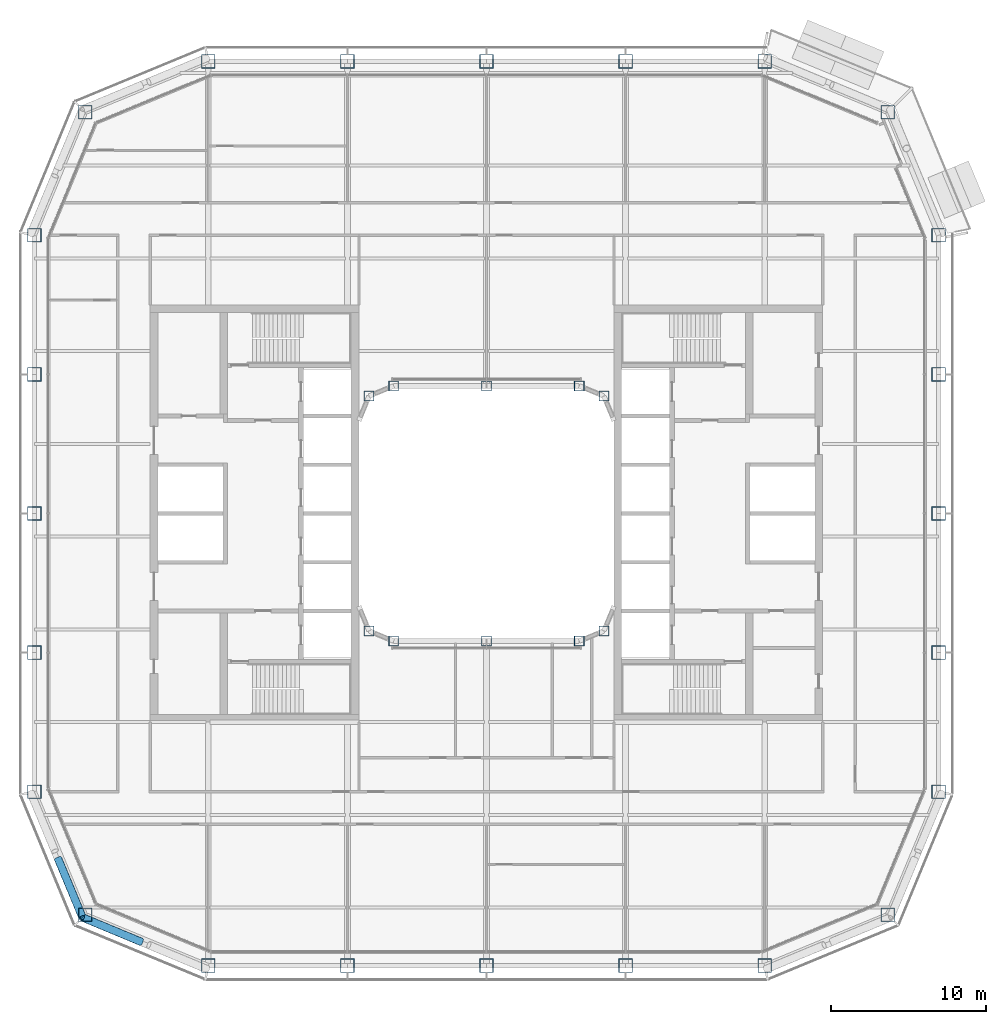
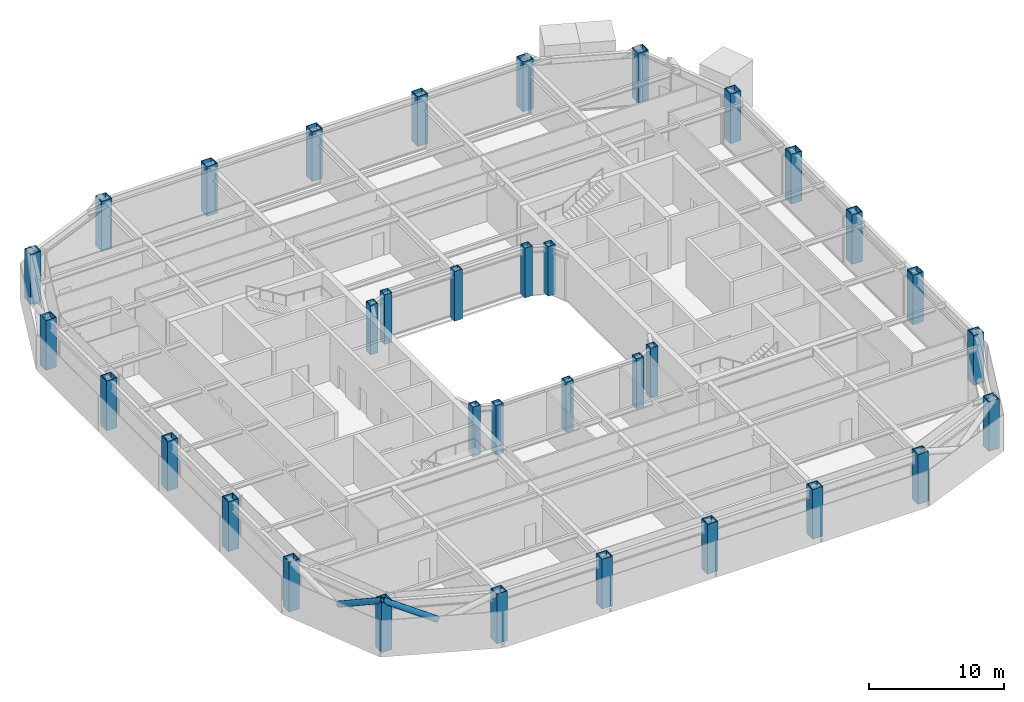
# One storey, part 1 of 23: 34 columns, 2 members.
"""IFC4 building model written with IfcOpenShell, lengths in metres."""

from ifc_helpers import new_model, si_unit, direction, frame, origin, origin_2d, place, context, subcontext, project, spatial, hollow_rectangle, hollow_circle, extrude, material, material_profile, profile_set, type_object, element, save


model = new_model("IFC4")

# Units and contexts
model_context = context("Model", 3, precision=1e-05, world=origin(), true_north=direction((0.0, 1.0)))
body_context = subcontext(model_context, "Body", "Model", "MODEL_VIEW")
ifc_project = project(units=[si_unit("LENGTHUNIT", "METRE"), si_unit("AREAUNIT", "SQUARE_METRE"), si_unit("VOLUMEUNIT", "CUBIC_METRE"), si_unit("PLANEANGLEUNIT", "RADIAN"), si_unit("MASSUNIT", "GRAM", prefix="KILO")], contexts=[model_context])

# Site, building, storey
site_placement = place(None, origin())
site = spatial("IfcSite", under=ifc_project, at=site_placement, CompositionType="ELEMENT")
building_placement = place(site_placement, origin())
building = spatial("IfcBuilding", under=site, at=building_placement, Name="Siwar Civic Tower", CompositionType="ELEMENT")
storey_placement = place(building_placement, frame((0.0, 0.0, 167.699951171875)))
storey = spatial("IfcBuildingStorey", under=building, at=storey_placement, Name="L36", CompositionType="ELEMENT", Elevation=167.699951171875)

# Columns
ifc_material_1 = material(Name="Steel S355", Category="steel")
ifc_material_profile_1 = material_profile(ifc_material_1, hollow_rectangle(XDim=0.89990234375, YDim=0.89990234375, WallThickness=0.050048828125, at=origin_2d()), Name="BOX900x900x50")
ifc_profile_set_1 = profile_set([ifc_material_profile_1], Name="Steel S355")
column_type_1 = type_object("IfcColumnType", Name="STR-COL-BOX900x900x50", PredefinedType="COLUMN", material=ifc_profile_set_1)
for number, where, z_axis, x_axis, name in (
    (1, (-18.0, -29.25, 0.0), (0.0, 0.0, 1.0), (1.0, 0.0, 0.0), "L36/col/S-0"),
    (2, (-9.0, -29.25, 0.0), (0.0, 0.0, 1.0), (1.0, 0.0, 0.0), "L36/col/S-1"),
    (3, (0.0, -29.25, 0.0), (0.0, 0.0, 1.0), (1.0, 0.0, 0.0), "L36/col/S-2"),
    (4, (9.0, -29.25, 0.0), (0.0, 0.0, 1.0), (1.0, 0.0, 0.0), "L36/col/S-3"),
    (5, (18.0, -29.25, 0.0), (0.0, 0.0, 1.0), (1.0, 0.0, 0.0), "L36/col/SE1-0"),
    (6, (25.954833984375, -25.954833984375, 0.0), (0.0, 0.0, 1.0), (1.0, 0.0, 0.0), "L36/col/SE2-0"),
    (7, (29.25, -18.0, 0.0), (0.0, 0.0, 1.0), (1.0, 0.0, 0.0), "L36/col/E-0"),
    (8, (29.25, -9.0, 0.0), (0.0, 0.0, 1.0), (1.0, 0.0, 0.0), "L36/col/E-1"),
    (9, (29.25, 0.0, 0.0), (0.0, 0.0, 1.0), (1.0, 0.0, 0.0), "L36/col/E-2"),
    (10, (29.25, 9.0, 0.0), (0.0, 0.0, 1.0), (1.0, 0.0, 0.0), "L36/col/E-3"),
    (11, (29.25, 18.0, 0.0), (0.0, 0.0, 1.0), (1.0, 0.0, 0.0), "L36/col/NE1-0"),
    (12, (25.954833984375, 25.954833984375, 0.0), (0.0, 0.0, 1.0), (1.0, 0.0, 0.0), "L36/col/NE2-0"),
    (13, (18.0, 29.25, 0.0), (0.0, 0.0, 1.0), (1.0, 0.0, 0.0), "L36/col/N-0"),
    (14, (9.0, 29.25, 0.0), (0.0, 0.0, 1.0), (1.0, 0.0, 0.0), "L36/col/N-1"),
    (15, (0.0, 29.25, 0.0), (0.0, 0.0, 1.0), (1.0, 0.0, 0.0), "L36/col/N-2"),
    (16, (-9.0, 29.25, 0.0), (0.0, 0.0, 1.0), (1.0, 0.0, 0.0), "L36/col/N-3"),
    (17, (-18.0, 29.25, 0.0), (0.0, 0.0, 1.0), (1.0, 0.0, 0.0), "L36/col/NW1-0"),
    (18, (-25.954833984375, 25.954833984375, 0.0), (0.0, 0.0, 1.0), (1.0, 0.0, 0.0), "L36/col/NW2-0"),
    (19, (-29.25, 18.0, 0.0), (0.0, 0.0, 1.0), (1.0, 0.0, 0.0), "L36/col/W-0"),
    (20, (-29.25, 9.0, 0.0), (0.0, 0.0, 1.0), (1.0, 0.0, 0.0), "L36/col/W-1"),
    (21, (-29.25, 0.0, 0.0), (0.0, 0.0, 1.0), (1.0, 0.0, 0.0), "L36/col/W-2"),
    (22, (-29.25, -9.0, 0.0), (0.0, 0.0, 1.0), (1.0, 0.0, 0.0), "L36/col/W-3"),
    (23, (-29.25, -18.0, 0.0), (0.0, 0.0, 1.0), (1.0, 0.0, 0.0), "L36/col/SW1-0"),
    (24, (-25.954833984375, -25.954833984375, 0.0), (0.0, 0.0, 1.0), (1.0, 0.0, 0.0), "L36/col/SW2-0"),
):
    element("IfcColumn", number, at=place(storey_placement, frame(where, z_axis=z_axis, x_axis=x_axis)), inside=storey, type_object=column_type_1, Name=name, PredefinedType="COLUMN", context=body_context, shape_type="SweptSolid", body=[
        extrude(hollow_rectangle(XDim=0.89990234375, YDim=0.89990234375, WallThickness=0.050048828125, at=origin_2d()), origin(), (0.0, 0.0, 1.0), 4.5),
    ])
ifc_material_2 = material(Name="Steel S355", Category="steel")
ifc_material_profile_2 = material_profile(ifc_material_2, hollow_rectangle(XDim=0.64990234375, YDim=0.64990234375, WallThickness=0.035888671875, at=origin_2d()), Name="BOX650x650x36")
ifc_profile_set_2 = profile_set([ifc_material_profile_2], Name="Steel S355")
column_type_2 = type_object("IfcColumnType", Name="STR-ICOL-BOX650x650x36", PredefinedType="COLUMN", material=ifc_profile_set_2)
for number, where, z_axis, x_axis, name in (
    (25, (-7.591064453125, -7.591064453125, 0.0), (0.0, 0.0, 1.0), (1.0, 0.0, 0.0), "L36/col/IS-0"),
    (26, (-6.0, -8.25, 0.0), (0.0, 0.0, 1.0), (1.0, 0.0, 0.0), "L36/col/IS-1"),
    (27, (0.0, -8.25, 0.0), (0.0, 0.0, 1.0), (1.0, 0.0, 0.0), "L36/col/IS-2"),
    (28, (6.0, -8.25, 0.0), (0.0, 0.0, 1.0), (1.0, 0.0, 0.0), "L36/col/IS-3"),
    (29, (7.591064453125, -7.591064453125, 0.0), (0.0, 0.0, 1.0), (1.0, 0.0, 0.0), "L36/col/IS-4"),
    (30, (-7.591064453125, 7.591064453125, 0.0), (0.0, 0.0, 1.0), (1.0, 0.0, 0.0), "L36/col/IN-0"),
    (31, (-6.0, 8.25, 0.0), (0.0, 0.0, 1.0), (1.0, 0.0, 0.0), "L36/col/IN-1"),
    (32, (0.0, 8.25, 0.0), (0.0, 0.0, 1.0), (1.0, 0.0, 0.0), "L36/col/IN-2"),
    (33, (6.0, 8.25, 0.0), (0.0, 0.0, 1.0), (1.0, 0.0, 0.0), "L36/col/IN-3"),
    (34, (7.591064453125, 7.591064453125, 0.0), (0.0, 0.0, 1.0), (1.0, 0.0, 0.0), "L36/col/IN-4"),
):
    element("IfcColumn", number, at=place(storey_placement, frame(where, z_axis=z_axis, x_axis=x_axis)), inside=storey, type_object=column_type_2, Name=name, PredefinedType="COLUMN", context=body_context, shape_type="SweptSolid", body=[
        extrude(hollow_rectangle(XDim=0.64990234375, YDim=0.64990234375, WallThickness=0.035888671875, at=origin_2d()), origin(), (0.0, 0.0, 1.0), 4.5),
    ])

# Members
ifc_material_3 = material(Name="Steel S355", Category="steel")
ifc_material_profile_3 = material_profile(ifc_material_3, hollow_circle(Radius=0.25390625, WallThickness=0.02490234375, at=origin_2d()), Name="CHS508x25")
ifc_profile_set_3 = profile_set([ifc_material_profile_3], Name="Steel S355")
member_type = type_object("IfcMemberType", Name="STR-BR-CHS508x25", PredefinedType="BRACE", material=ifc_profile_set_3)
for number, where, z_axis, x_axis, name in (
    (35, (-22.342529296875, -27.70849609375, 2.390625), (-0.821163134736, 0.341670737976, 0.457112910516), (-0.384154943021, -0.923268638995, 0.0), "L36/brc/BSW1-15-0-3"),
    (36, (-27.70849609375, -22.342529296875, 2.390625), (0.341670737976, -0.821163134736, 0.457112910516), (0.923268638995, 0.384154943021, 0.0), "L36/brc/BSW1-15-0-5"),
):
    element("IfcMember", number, at=place(storey_placement, frame(where, z_axis=z_axis, x_axis=x_axis)), inside=storey, type_object=member_type, Name=name, PredefinedType="BRACE", context=body_context, shape_type="SweptSolid", body=[
        extrude(hollow_circle(Radius=0.25390625, WallThickness=0.02490234375, at=origin_2d()), origin(), (0.0, 0.0, 1.0), 4.614501953125),
    ])

save(model, "model.ifc")
